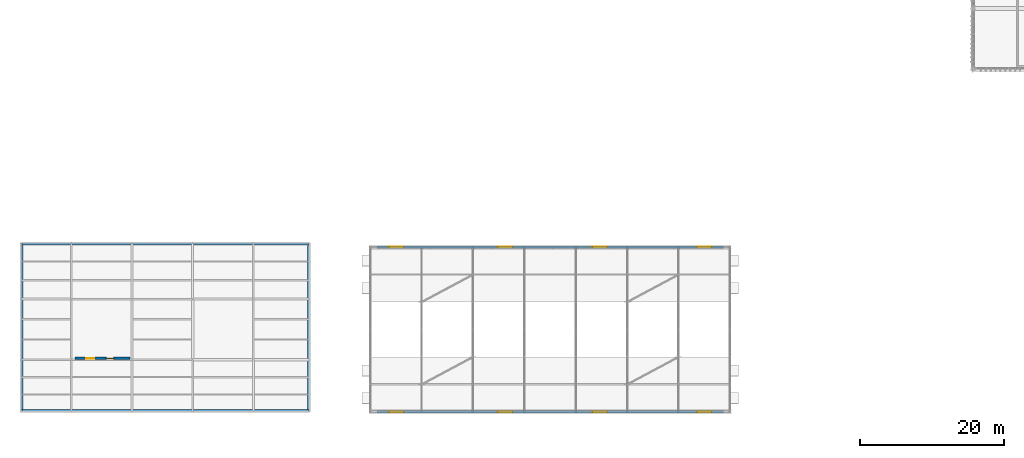
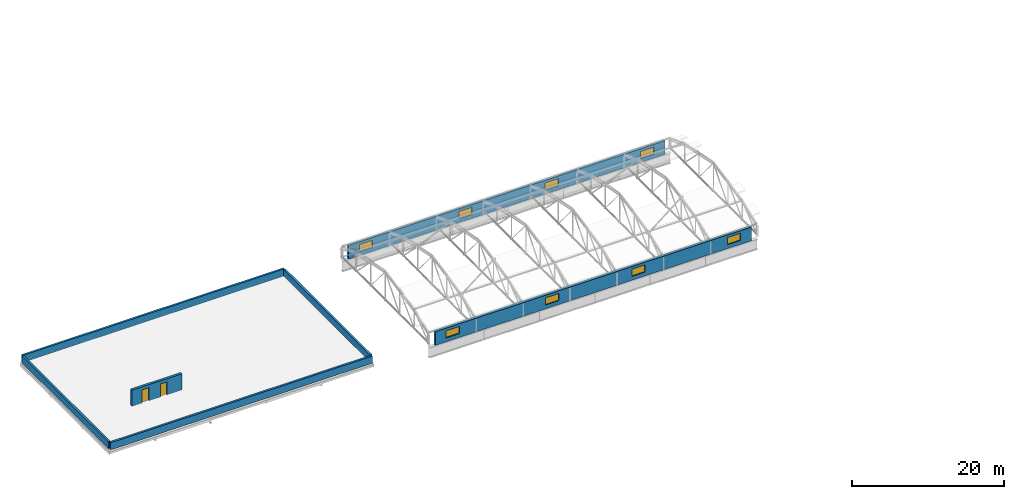
# One storey, part 48 of 53: 8 windows, 7 walls, 2 doors, 10 openings.
"""IFC4 building model written with IfcOpenShell, lengths in metres."""

import ifcopenshell
import ifcopenshell.guid

model = None  # the IFC model being written
_history = None  # IfcOwnerHistory: only IFC2X3 demands one
_inside = {}  # id of a spatial element -> (the spatial element, [elements in it])
_under = {}  # id of a project, library or spatial element -> (it, [spatial elements below it])
_declared = {}  # id of a project -> (the project, [libraries it declares])
_typed = {}  # id of a type object -> (the type object, [elements of that type])
_made_of = {}  # id of a material, layer set ... -> (it, [elements and type objects made of it])


def new_model(schema):
    """Start an empty IFC model of exactly this schema.

    Asked for "IFC4X3", IfcOpenShell would pick the latest addendum, in which some entities
    have other attributes; the version numbers below select the first issue.
    IFC2X3 requires an IfcOwnerHistory on every rooted entity: one is made here for all.
    """
    global model, _history
    if schema == "IFC4X3":
        model = ifcopenshell.file(schema_version=(4, 3, 0, 0))
    else:
        model = ifcopenshell.file(schema=schema)
    _inside.clear()
    _under.clear()
    _declared.clear()
    _typed.clear()
    _made_of.clear()
    _history = None
    if model.schema == "IFC2X3":
        org = make("IfcOrganization", Name="unknown")
        user = make(
            "IfcPersonAndOrganization",
            ThePerson=make("IfcPerson", FamilyName="unknown"),
            TheOrganization=org,
        )
        app = make(
            "IfcApplication",
            ApplicationDeveloper=org,
            Version="unknown",
            ApplicationFullName="unknown",
            ApplicationIdentifier="unknown",
        )
        _history = make(
            "IfcOwnerHistory",
            OwningUser=user,
            OwningApplication=app,
            ChangeAction="ADDED",
            CreationDate=0,
        )
    return model


def make(cls, **values):
    """One entity of the class cls with the attributes given. An attribute that is None is left unset."""
    return model.create_entity(
        cls, **{name: value for name, value in values.items() if value is not None}
    )


def rooted(cls, **values):
    """An entity with a GlobalId (a new one), such as an element, a storey or a relation."""
    return make(cls, GlobalId=ifcopenshell.guid.new(), OwnerHistory=_history, **values)


def si_unit(unit_type, name, prefix=None):
    """IfcSIUnit, for example si_unit("LENGTHUNIT", "METRE", prefix="MILLI")."""
    return make("IfcSIUnit", UnitType=unit_type, Prefix=prefix, Name=name)


def assignment(units):
    """IfcUnitAssignment: the units of a project."""
    return None if units is None else make("IfcUnitAssignment", Units=units)


def point(xyz):
    """IfcCartesianPoint."""
    return None if xyz is None else make("IfcCartesianPoint", Coordinates=xyz)


def direction(xyz):
    """IfcDirection."""
    return None if xyz is None else make("IfcDirection", DirectionRatios=xyz)


def frame(location, z_axis=None, x_axis=None):
    """IfcAxis2Placement3D, a coordinate frame: its origin and axes. An axis left out is left unset."""
    return make(
        "IfcAxis2Placement3D",
        Location=point(location),
        Axis=direction(z_axis),
        RefDirection=direction(x_axis),
    )


def frame_2d(location, x_axis=None):
    """IfcAxis2Placement2D, a coordinate frame in the plane: its origin and x axis."""
    return make(
        "IfcAxis2Placement2D", Location=point(location), RefDirection=direction(x_axis)
    )


def origin_with_axes():
    """The frame at (0, 0, 0) with the z axis (0, 0, 1) and the x axis (1, 0, 0) written out."""
    return frame((0.0, 0.0, 0.0), z_axis=(0.0, 0.0, 1.0), x_axis=(1.0, 0.0, 0.0))


def place(relative_to, where):
    """IfcLocalPlacement: puts the frame where relative to a parent placement (None: the world)."""
    return make(
        "IfcLocalPlacement", PlacementRelTo=relative_to, RelativePlacement=where
    )


def context(
    kind, dimensions, precision=None, world=None, true_north=None, identifier=None
):
    """IfcGeometricRepresentationContext, for example the 3D "Model" context."""
    return make(
        "IfcGeometricRepresentationContext",
        ContextIdentifier=identifier,
        ContextType=kind,
        CoordinateSpaceDimension=dimensions,
        Precision=precision,
        WorldCoordinateSystem=world,
        TrueNorth=true_north,
    )


def subcontext(parent, identifier, kind, view, scale=None):
    """IfcGeometricRepresentationSubContext, for example "Body" below "Model"."""
    return make(
        "IfcGeometricRepresentationSubContext",
        ContextIdentifier=identifier,
        ContextType=kind,
        ParentContext=parent,
        TargetScale=scale,
        TargetView=view,
    )


def project(units=None, contexts=None):
    """IfcProject with its units and contexts."""
    return rooted(
        "IfcProject",
        Name="project",
        RepresentationContexts=contexts,
        UnitsInContext=assignment(units),
    )


def spatial(cls, under=None, at=None, **own):
    """A site, building, storey or space (cls), placed at a placement, below another one or the project."""
    s = rooted(cls, ObjectPlacement=at, **own)
    if under is not None:
        _under.setdefault(under.id(), (under, []))[1].append(s)
    return s


def profile(cls, at=None, kind="AREA", **sizes):
    """A parametric profile (cls). Its sizes go by their IFC names, for example OverallWidth=200.0."""
    return make(cls, ProfileType=kind, Position=at, **sizes)


def rectangle(**sizes):
    """IfcRectangleProfileDef."""
    return profile("IfcRectangleProfileDef", **sizes)


def extrude(swept, where, along, depth):
    """IfcExtrudedAreaSolid: the profile swept, set in the frame where, extruded along a direction by depth."""
    return make(
        "IfcExtrudedAreaSolid",
        SweptArea=swept,
        Position=where,
        ExtrudedDirection=direction(along),
        Depth=depth,
    )


def shape(context_of_items, identifier, shape_type, items):
    """IfcShapeRepresentation: the items that make up one representation, for example the "Body"."""
    return make(
        "IfcShapeRepresentation",
        ContextOfItems=context_of_items,
        RepresentationIdentifier=identifier,
        RepresentationType=shape_type,
        Items=items,
    )


def material(Name=None, Category=None):
    """IfcMaterial."""
    return make("IfcMaterial", Name=Name, Category=Category)


def layer(
    of_material, thickness, ventilated=None, Name=None, Category=None, Priority=None
):
    """IfcMaterialLayer: one layer of a wall or slab, of a material (None: an air gap)."""
    return make(
        "IfcMaterialLayer",
        Material=of_material,
        LayerThickness=thickness,
        IsVentilated=ventilated,
        Name=Name,
        Category=Category,
        Priority=Priority,
    )


def layer_set(layers, Name=None):
    """IfcMaterialLayerSet."""
    return make("IfcMaterialLayerSet", MaterialLayers=layers, LayerSetName=Name)


def made_of(thing, what):
    """Note that an element or type object is made of a material, layer set ...; save() writes the relation."""
    if what is not None:
        _made_of.setdefault(what.id(), (what, []))[1].append(thing)
    return thing


def type_object(cls, material=None, **own):
    """A type object (cls), such as IfcWallType, which elements share."""
    return made_of(rooted(cls, **own), material)


def element(
    cls,
    number,
    at=None,
    inside=None,
    cuts=None,
    type_object=None,
    material=None,
    context=None,
    identifier="Body",
    shape_type=None,
    held_by="IfcProductDefinitionShape",
    body=None,
    shapes=None,
    **own,
):
    """One element of the class cls, such as IfcWall. Its Tag is "e" and its number.

    at: its placement. inside: the storey or other place that contains it. cuts: it is an
    opening in that element (IfcRelVoidsElement). A single representation is given by context,
    identifier, shape_type and body (its items); several are given by shapes. held_by: the class
    of the entity that holds the representations. save() writes the other relations.
    """
    e = rooted(cls, Tag="e%d" % number, ObjectPlacement=at, **own)
    if body is not None:
        shapes = [shape(context, identifier, shape_type, body)]
    if shapes is not None:
        e.Representation = make(held_by, Representations=shapes)
    if inside is not None:
        _inside.setdefault(inside.id(), (inside, []))[1].append(e)
    if cuts is not None:
        rooted(
            "IfcRelVoidsElement", RelatingBuildingElement=cuts, RelatedOpeningElement=e
        )
    if type_object is not None:
        _typed.setdefault(type_object.id(), (type_object, []))[1].append(e)
    return made_of(e, material)


def fill(opening, filler):
    """IfcRelFillsElement: the door or window that sits in an opening."""
    return rooted(
        "IfcRelFillsElement",
        RelatingOpeningElement=opening,
        RelatedBuildingElement=filler,
    )


def aggregate(whole, parts):
    """IfcRelAggregates: a whole, such as a stair, and the parts it consists of."""
    return rooted("IfcRelAggregates", RelatingObject=whole, RelatedObjects=parts)


def save(model, path):
    """Write the relations noted so far, then the file.

    IfcRelAggregates (storeys below a building ...), IfcRelContainedInSpatialStructure (elements
    in a storey), IfcRelDefinesByType, IfcRelAssociatesMaterial and IfcRelDeclares: one each for
    every whole, place, type object, material and project.
    """
    for whole, parts in _under.values():
        aggregate(whole, parts)
    for where, things in _inside.values():
        rooted(
            "IfcRelContainedInSpatialStructure",
            RelatedElements=things,
            RelatingStructure=where,
        )
    for kind, things in _typed.values():
        rooted("IfcRelDefinesByType", RelatedObjects=things, RelatingType=kind)
    for what, things in _made_of.values():
        rooted("IfcRelAssociatesMaterial", RelatedObjects=things, RelatingMaterial=what)
    for by, libraries in _declared.values():
        rooted("IfcRelDeclares", RelatingContext=by, RelatedDefinitions=libraries)
    model.write(path)


model = new_model("IFC4")

# Units and contexts
model_context = context("Model", 3, precision=1e-05, world=origin_with_axes(), true_north=direction((0.0, 1.0)))
body_context = subcontext(model_context, "Body", "Model", "MODEL_VIEW")
ifc_project = project(units=[si_unit("LENGTHUNIT", "METRE"), si_unit("AREAUNIT", "SQUARE_METRE"), si_unit("VOLUMEUNIT", "CUBIC_METRE"), si_unit("PLANEANGLEUNIT", "RADIAN"), si_unit("MASSUNIT", "GRAM", prefix="KILO"), si_unit("THERMODYNAMICTEMPERATUREUNIT", "KELVIN")], contexts=[model_context])

# Site, building, storey
site_placement = place(None, origin_with_axes())
site = spatial("IfcSite", under=ifc_project, at=site_placement, CompositionType="ELEMENT")
building_placement = place(site_placement, origin_with_axes())
building = spatial("IfcBuilding", under=site, at=building_placement, Name="Montbau Bow Law Courts", CompositionType="ELEMENT")
storey_placement = place(building_placement, frame((0.0, 0.0, 39.0), z_axis=(0.0, 0.0, 1.0), x_axis=(1.0, 0.0, 0.0)))
storey = spatial("IfcBuildingStorey", under=building, at=storey_placement, Name="L08", CompositionType="ELEMENT", Elevation=39.0)

# Wall, openings, doors
ifc_material_1 = material(Name="Insulated Metal Cladding Roof Bulkhead Wall", Category="steel")
ifc_layer_1 = layer(ifc_material_1, 0.36, Name="Solid Wall", Category="steel")
ifc_layer_set_1 = layer_set([ifc_layer_1], Name="Insulated Metal Cladding Roof Bulkhead Wall")
wall_type_1 = type_object("IfcWallType", Name="W-EXT-05", PredefinedType="SOLIDWALL", material=ifc_layer_set_1)
wall_1_placement = place(None, frame((14.34, 46.4, 39.0), z_axis=(0.0, 0.0, 1.0), x_axis=(1.0, 0.0, 0.0)))
wall_1 = element("IfcWall", 1, at=wall_1_placement, inside=storey, type_object=wall_type_1, Name="WB-L08-V2:wal_0067", PredefinedType="SOLIDWALL", context=body_context, shape_type="SweptSolid", body=[
    extrude(rectangle(XDim=7.620000000000001, YDim=0.36, at=frame_2d((3.81, 0.0), x_axis=(1.0, 0.0))), origin_with_axes(), (0.0, 0.0, 1.0), 2.6),
])
opening_1_placement = place(None, frame((16.4, 46.4, 39.0), z_axis=(0.0, 0.0, 1.0), x_axis=(1.0, 0.0, 0.0)))
opening_1 = element("IfcOpeningElement", 2, at=opening_1_placement, cuts=wall_1, Name="OP-DH-L08-04", PredefinedType="OPENING", context=body_context, shape_type="SweptSolid", body=[
    extrude(rectangle(XDim=1.12, YDim=2.12, at=frame_2d((0.0, 1.06), x_axis=(1.0, 0.0))), frame((0.0, 0.19, 0.0), z_axis=(0.0, -1.0, 0.0), x_axis=(1.0, 0.0, 0.0)), (0.0, 0.0, 1.0), 0.38),
])
opening_2_placement = place(None, frame((19.15, 46.4, 39.0), z_axis=(0.0, 0.0, 1.0), x_axis=(1.0, 0.0, 0.0)))
opening_2 = element("IfcOpeningElement", 3, at=opening_2_placement, cuts=wall_1, Name="OP-DH-L08-05", PredefinedType="OPENING", context=body_context, shape_type="SweptSolid", body=[
    extrude(rectangle(XDim=1.02, YDim=2.08, at=frame_2d((0.0, 1.04), x_axis=(1.0, 0.0))), frame((0.0, 0.19, 0.0), z_axis=(0.0, -1.0, 0.0), x_axis=(1.0, 0.0, 0.0)), (0.0, 0.0, 1.0), 0.38),
])
ifc_material_2 = material(Name="Insulated Weather-Stripped Steel Roof Bulkhead Access Door", Category="steel")
door_type_1 = type_object("IfcDoorType", Name="D-HTC-01", OperationType="NOTDEFINED", ParameterTakesPrecedence=False, PredefinedType="TRAPDOOR", material=ifc_material_2)
door_1_placement = place(None, frame((19.15, 46.4, 39.0), z_axis=(0.0, 0.0, 1.0), x_axis=(1.0, 0.0, 0.0)))
door_1 = element("IfcDoor", 4, at=door_1_placement, inside=storey, type_object=door_type_1, Name="DH-L08-05:dor_0036", OperationType="SINGLE_SWING_LEFT", OverallHeight=2.08, OverallWidth=1.02, PredefinedType="TRAPDOOR", context=body_context, shape_type="SweptSolid", body=[
    extrude(rectangle(XDim=1.02, YDim=2.08, at=frame_2d((0.0, 1.04), x_axis=(1.0, 0.0))), frame((0.0, 0.04, 0.0), z_axis=(0.0, -1.0, 0.0), x_axis=(1.0, 0.0, 0.0)), (0.0, 0.0, 1.0), 0.08),
])
fill(opening_2, door_1)
ifc_material_3 = material(Name="Insulated Plant-Deck Access Door", Category="steel")
door_type_2 = type_object("IfcDoorType", Name="D-HTC-02", OperationType="NOTDEFINED", ParameterTakesPrecedence=False, PredefinedType="TRAPDOOR", material=ifc_material_3)
door_2_placement = place(None, frame((16.4, 46.4, 39.0), z_axis=(0.0, 0.0, 1.0), x_axis=(1.0, 0.0, 0.0)))
door_2 = element("IfcDoor", 5, at=door_2_placement, inside=storey, type_object=door_type_2, Name="DH-L08-04:dor_0035", OperationType="SINGLE_SWING_LEFT", OverallHeight=2.12, OverallWidth=1.12, PredefinedType="TRAPDOOR", context=body_context, shape_type="SweptSolid", body=[
    extrude(rectangle(XDim=1.12, YDim=2.12, at=frame_2d((0.0, 1.06), x_axis=(1.0, 0.0))), frame((0.0, 0.04, 0.0), z_axis=(0.0, -1.0, 0.0), x_axis=(1.0, 0.0, 0.0)), (0.0, 0.0, 1.0), 0.08),
])
fill(opening_1, door_2)

# Wall, openings, windows
ifc_material_4 = material(Name="Insulated Clerestory Curb Wall Assembly", Category="masonry")
ifc_layer_2 = layer(ifc_material_4, 0.34, Name="Solid Wall", Category="masonry")
ifc_layer_set_2 = layer_set([ifc_layer_2], Name="Insulated Clerestory Curb Wall Assembly")
wall_type_2 = type_object("IfcWallType", Name="W-EXT-06", PredefinedType="SOLIDWALL", material=ifc_layer_set_2)
wall_2_placement = place(None, frame((56.1, 39.0, 38.66), z_axis=(0.0, 0.0, 1.0), x_axis=(1.0, 0.0, 0.0)))
wall_2 = element("IfcWall", 6, at=wall_2_placement, inside=storey, type_object=wall_type_2, Name="WC-VLT-V3-S:wal_0061", PredefinedType="SOLIDWALL", context=body_context, shape_type="SweptSolid", body=[
    extrude(rectangle(XDim=47.99999999999999, YDim=0.34, at=frame_2d((24.0, 0.0), x_axis=(1.0, 0.0))), origin_with_axes(), (0.0, 0.0, 1.0), 2.19),
])
opening_3_placement = place(None, frame((58.757, 39.0, 39.28), z_axis=(0.0, 0.0, 1.0), x_axis=(1.0, 0.0, 0.0)))
opening_3 = element("IfcOpeningElement", 7, at=opening_3_placement, cuts=wall_2, Name="OP-SK-V3-09", PredefinedType="OPENING", context=body_context, shape_type="SweptSolid", body=[
    extrude(rectangle(XDim=2.0, YDim=1.15, at=frame_2d((0.0, 0.575), x_axis=(1.0, 0.0))), frame((0.0, 0.18, 0.0), z_axis=(0.0, -1.0, 0.0), x_axis=(1.0, 0.0, 0.0)), (0.0, 0.0, 1.0), 0.36),
])
opening_4_placement = place(None, frame((73.85, 39.0, 39.28), z_axis=(0.0, 0.0, 1.0), x_axis=(1.0, 0.0, 0.0)))
opening_4 = element("IfcOpeningElement", 8, at=opening_4_placement, cuts=wall_2, Name="OP-SK-V3-10", PredefinedType="OPENING", context=body_context, shape_type="SweptSolid", body=[
    extrude(rectangle(XDim=2.0, YDim=1.15, at=frame_2d((0.0, 0.575), x_axis=(1.0, 0.0))), frame((0.0, 0.18, 0.0), z_axis=(0.0, -1.0, 0.0), x_axis=(1.0, 0.0, 0.0)), (0.0, 0.0, 1.0), 0.36),
])
opening_5_placement = place(None, frame((86.95, 39.0, 39.28), z_axis=(0.0, 0.0, 1.0), x_axis=(1.0, 0.0, 0.0)))
opening_5 = element("IfcOpeningElement", 9, at=opening_5_placement, cuts=wall_2, Name="OP-SK-V3-11", PredefinedType="OPENING", context=body_context, shape_type="SweptSolid", body=[
    extrude(rectangle(XDim=2.0, YDim=1.15, at=frame_2d((0.0, 0.575), x_axis=(1.0, 0.0))), frame((0.0, 0.18, 0.0), z_axis=(0.0, -1.0, 0.0), x_axis=(1.0, 0.0, 0.0)), (0.0, 0.0, 1.0), 0.36),
])
opening_6_placement = place(None, frame((101.443, 39.0, 39.28), z_axis=(0.0, 0.0, 1.0), x_axis=(1.0, 0.0, 0.0)))
opening_6 = element("IfcOpeningElement", 10, at=opening_6_placement, cuts=wall_2, Name="OP-SK-V3-12", PredefinedType="OPENING", context=body_context, shape_type="SweptSolid", body=[
    extrude(rectangle(XDim=2.0, YDim=1.15, at=frame_2d((0.0, 0.575), x_axis=(1.0, 0.0))), frame((0.0, 0.18, 0.0), z_axis=(0.0, -1.0, 0.0), x_axis=(1.0, 0.0, 0.0)), (0.0, 0.0, 1.0), 0.36),
])
ifc_material_5 = material(Name="Triple-Glazed Law Library Monitor Skylight", Category="glass")
window_type = type_object("IfcWindowType", Name="SK-VLT-03", ParameterTakesPrecedence=False, PartitioningType="SINGLE_PANEL", PredefinedType="SKYLIGHT", material=ifc_material_5)
window_1_placement = place(None, frame((58.757, 39.0, 39.28), z_axis=(0.0, 0.0, 1.0), x_axis=(1.0, 0.0, 0.0)))
window_1 = element("IfcWindow", 11, at=window_1_placement, inside=storey, type_object=window_type, Name="SK-V3-09:win_0115", OverallHeight=1.15, OverallWidth=2.0, PartitioningType="SINGLE_PANEL", PredefinedType="SKYLIGHT", context=body_context, shape_type="SweptSolid", body=[
    extrude(rectangle(XDim=2.0, YDim=1.15, at=frame_2d((0.0, 0.575), x_axis=(1.0, 0.0))), frame((0.0, 0.03, 0.0), z_axis=(0.0, -1.0, 0.0), x_axis=(1.0, 0.0, 0.0)), (0.0, 0.0, 1.0), 0.06),
])
fill(opening_3, window_1)
window_2_placement = place(None, frame((73.85, 39.0, 39.28), z_axis=(0.0, 0.0, 1.0), x_axis=(1.0, 0.0, 0.0)))
window_2 = element("IfcWindow", 12, at=window_2_placement, inside=storey, type_object=window_type, Name="SK-V3-10:win_0116", OverallHeight=1.15, OverallWidth=2.0, PartitioningType="SINGLE_PANEL", PredefinedType="SKYLIGHT", context=body_context, shape_type="SweptSolid", body=[
    extrude(rectangle(XDim=2.0, YDim=1.15, at=frame_2d((0.0, 0.575), x_axis=(1.0, 0.0))), frame((0.0, 0.03, 0.0), z_axis=(0.0, -1.0, 0.0), x_axis=(1.0, 0.0, 0.0)), (0.0, 0.0, 1.0), 0.06),
])
fill(opening_4, window_2)
window_3_placement = place(None, frame((86.95, 39.0, 39.28), z_axis=(0.0, 0.0, 1.0), x_axis=(1.0, 0.0, 0.0)))
window_3 = element("IfcWindow", 13, at=window_3_placement, inside=storey, type_object=window_type, Name="SK-V3-11:win_0117", OverallHeight=1.15, OverallWidth=2.0, PartitioningType="SINGLE_PANEL", PredefinedType="SKYLIGHT", context=body_context, shape_type="SweptSolid", body=[
    extrude(rectangle(XDim=2.0, YDim=1.15, at=frame_2d((0.0, 0.575), x_axis=(1.0, 0.0))), frame((0.0, 0.03, 0.0), z_axis=(0.0, -1.0, 0.0), x_axis=(1.0, 0.0, 0.0)), (0.0, 0.0, 1.0), 0.06),
])
fill(opening_5, window_3)
window_4_placement = place(None, frame((101.443, 39.0, 39.28), z_axis=(0.0, 0.0, 1.0), x_axis=(1.0, 0.0, 0.0)))
window_4 = element("IfcWindow", 14, at=window_4_placement, inside=storey, type_object=window_type, Name="SK-V3-12:win_0118", OverallHeight=1.15, OverallWidth=2.0, PartitioningType="SINGLE_PANEL", PredefinedType="SKYLIGHT", context=body_context, shape_type="SweptSolid", body=[
    extrude(rectangle(XDim=2.0, YDim=1.15, at=frame_2d((0.0, 0.575), x_axis=(1.0, 0.0))), frame((0.0, 0.03, 0.0), z_axis=(0.0, -1.0, 0.0), x_axis=(1.0, 0.0, 0.0)), (0.0, 0.0, 1.0), 0.06),
])
fill(opening_6, window_4)

wall_3_placement = place(None, frame((56.1, 61.8, 38.66), z_axis=(0.0, 0.0, 1.0), x_axis=(1.0, 0.0, 0.0)))
wall_3 = element("IfcWall", 15, at=wall_3_placement, inside=storey, type_object=wall_type_2, Name="WC-VLT-V3-N:wal_0062", PredefinedType="SOLIDWALL", context=body_context, shape_type="SweptSolid", body=[
    extrude(rectangle(XDim=47.99999999999999, YDim=0.34, at=frame_2d((24.0, 0.0), x_axis=(1.0, 0.0))), origin_with_axes(), (0.0, 0.0, 1.0), 2.19),
])
opening_7_placement = place(None, frame((58.757, 61.8, 39.28), z_axis=(0.0, 0.0, 1.0), x_axis=(1.0, 0.0, 0.0)))
opening_7 = element("IfcOpeningElement", 16, at=opening_7_placement, cuts=wall_3, Name="OP-SK-V3-13", PredefinedType="OPENING", context=body_context, shape_type="SweptSolid", body=[
    extrude(rectangle(XDim=2.0, YDim=1.15, at=frame_2d((0.0, 0.575), x_axis=(1.0, 0.0))), frame((0.0, 0.18, 0.0), z_axis=(0.0, -1.0, 0.0), x_axis=(1.0, 0.0, 0.0)), (0.0, 0.0, 1.0), 0.36),
])
opening_8_placement = place(None, frame((73.85, 61.8, 39.28), z_axis=(0.0, 0.0, 1.0), x_axis=(1.0, 0.0, 0.0)))
opening_8 = element("IfcOpeningElement", 17, at=opening_8_placement, cuts=wall_3, Name="OP-SK-V3-14", PredefinedType="OPENING", context=body_context, shape_type="SweptSolid", body=[
    extrude(rectangle(XDim=2.0, YDim=1.15, at=frame_2d((0.0, 0.575), x_axis=(1.0, 0.0))), frame((0.0, 0.18, 0.0), z_axis=(0.0, -1.0, 0.0), x_axis=(1.0, 0.0, 0.0)), (0.0, 0.0, 1.0), 0.36),
])
opening_9_placement = place(None, frame((86.95, 61.8, 39.28), z_axis=(0.0, 0.0, 1.0), x_axis=(1.0, 0.0, 0.0)))
opening_9 = element("IfcOpeningElement", 18, at=opening_9_placement, cuts=wall_3, Name="OP-SK-V3-15", PredefinedType="OPENING", context=body_context, shape_type="SweptSolid", body=[
    extrude(rectangle(XDim=2.0, YDim=1.15, at=frame_2d((0.0, 0.575), x_axis=(1.0, 0.0))), frame((0.0, 0.18, 0.0), z_axis=(0.0, -1.0, 0.0), x_axis=(1.0, 0.0, 0.0)), (0.0, 0.0, 1.0), 0.36),
])
opening_10_placement = place(None, frame((101.443, 61.8, 39.28), z_axis=(0.0, 0.0, 1.0), x_axis=(1.0, 0.0, 0.0)))
opening_10 = element("IfcOpeningElement", 19, at=opening_10_placement, cuts=wall_3, Name="OP-SK-V3-16", PredefinedType="OPENING", context=body_context, shape_type="SweptSolid", body=[
    extrude(rectangle(XDim=2.0, YDim=1.15, at=frame_2d((0.0, 0.575), x_axis=(1.0, 0.0))), frame((0.0, 0.18, 0.0), z_axis=(0.0, -1.0, 0.0), x_axis=(1.0, 0.0, 0.0)), (0.0, 0.0, 1.0), 0.36),
])
window_5_placement = place(None, frame((58.757, 61.8, 39.28), z_axis=(0.0, 0.0, 1.0), x_axis=(1.0, 0.0, 0.0)))
window_5 = element("IfcWindow", 20, at=window_5_placement, inside=storey, type_object=window_type, Name="SK-V3-13:win_0119", OverallHeight=1.15, OverallWidth=2.0, PartitioningType="SINGLE_PANEL", PredefinedType="SKYLIGHT", context=body_context, shape_type="SweptSolid", body=[
    extrude(rectangle(XDim=2.0, YDim=1.15, at=frame_2d((0.0, 0.575), x_axis=(1.0, 0.0))), frame((0.0, 0.03, 0.0), z_axis=(0.0, -1.0, 0.0), x_axis=(1.0, 0.0, 0.0)), (0.0, 0.0, 1.0), 0.06),
])
fill(opening_7, window_5)
window_6_placement = place(None, frame((73.85, 61.8, 39.28), z_axis=(0.0, 0.0, 1.0), x_axis=(1.0, 0.0, 0.0)))
window_6 = element("IfcWindow", 21, at=window_6_placement, inside=storey, type_object=window_type, Name="SK-V3-14:win_0120", OverallHeight=1.15, OverallWidth=2.0, PartitioningType="SINGLE_PANEL", PredefinedType="SKYLIGHT", context=body_context, shape_type="SweptSolid", body=[
    extrude(rectangle(XDim=2.0, YDim=1.15, at=frame_2d((0.0, 0.575), x_axis=(1.0, 0.0))), frame((0.0, 0.03, 0.0), z_axis=(0.0, -1.0, 0.0), x_axis=(1.0, 0.0, 0.0)), (0.0, 0.0, 1.0), 0.06),
])
fill(opening_8, window_6)
window_7_placement = place(None, frame((86.95, 61.8, 39.28), z_axis=(0.0, 0.0, 1.0), x_axis=(1.0, 0.0, 0.0)))
window_7 = element("IfcWindow", 22, at=window_7_placement, inside=storey, type_object=window_type, Name="SK-V3-15:win_0121", OverallHeight=1.15, OverallWidth=2.0, PartitioningType="SINGLE_PANEL", PredefinedType="SKYLIGHT", context=body_context, shape_type="SweptSolid", body=[
    extrude(rectangle(XDim=2.0, YDim=1.15, at=frame_2d((0.0, 0.575), x_axis=(1.0, 0.0))), frame((0.0, 0.03, 0.0), z_axis=(0.0, -1.0, 0.0), x_axis=(1.0, 0.0, 0.0)), (0.0, 0.0, 1.0), 0.06),
])
fill(opening_9, window_7)
window_8_placement = place(None, frame((101.443, 61.8, 39.28), z_axis=(0.0, 0.0, 1.0), x_axis=(1.0, 0.0, 0.0)))
window_8 = element("IfcWindow", 23, at=window_8_placement, inside=storey, type_object=window_type, Name="SK-V3-16:win_0122", OverallHeight=1.15, OverallWidth=2.0, PartitioningType="SINGLE_PANEL", PredefinedType="SKYLIGHT", context=body_context, shape_type="SweptSolid", body=[
    extrude(rectangle(XDim=2.0, YDim=1.15, at=frame_2d((0.0, 0.575), x_axis=(1.0, 0.0))), frame((0.0, 0.03, 0.0), z_axis=(0.0, -1.0, 0.0), x_axis=(1.0, 0.0, 0.0)), (0.0, 0.0, 1.0), 0.06),
])
fill(opening_10, window_8)

# Walls
ifc_material_6 = material(Name="Insulated Limestone-Capped Roof Parapet Assembly", Category="masonry")
ifc_layer_3 = layer(ifc_material_6, 0.3, Name="Parapet", Category="masonry")
ifc_layer_set_3 = layer_set([ifc_layer_3], Name="Insulated Limestone-Capped Roof Parapet Assembly")
wall_type_3 = type_object("IfcWallType", Name="W-PAR-01", PredefinedType="PARAPET", material=ifc_layer_set_3)
wall_4_placement = place(None, frame((6.95, 39.15, 39.0), z_axis=(0.0, 0.0, 1.0), x_axis=(1.0, 0.0, 0.0)))
element("IfcWall", 24, at=wall_4_placement, inside=storey, type_object=wall_type_3, Name="PAR-L08-01:par_0010", PredefinedType="PARAPET", context=body_context, shape_type="SweptSolid", body=[
    extrude(rectangle(XDim=39.699999999999996, YDim=0.3, at=frame_2d((19.85, 0.0), x_axis=(1.0, 0.0))), origin_with_axes(), (0.0, 0.0, 1.0), 1.15),
])
wall_5_placement = place(None, frame((46.65, 39.35, 39.0), z_axis=(0.0, 0.0, 1.0), x_axis=(0.0, 1.0, 0.0)))
element("IfcWall", 25, at=wall_5_placement, inside=storey, type_object=wall_type_3, Name="PAR-L08-02:par_0011", PredefinedType="PARAPET", context=body_context, shape_type="SweptSolid", body=[
    extrude(rectangle(XDim=22.699999999999996, YDim=0.3, at=frame_2d((11.35, 0.0), x_axis=(1.0, 0.0))), origin_with_axes(), (0.0, 0.0, 1.0), 1.15),
])
wall_6_placement = place(None, frame((46.65, 62.25, 39.0), z_axis=(0.0, 0.0, 1.0), x_axis=(-1.0, 0.0, 0.0)))
element("IfcWall", 26, at=wall_6_placement, inside=storey, type_object=wall_type_3, Name="PAR-L08-03:par_0012", PredefinedType="PARAPET", context=body_context, shape_type="SweptSolid", body=[
    extrude(rectangle(XDim=39.699999999999996, YDim=0.3, at=frame_2d((19.85, 0.0), x_axis=(1.0, 0.0))), origin_with_axes(), (0.0, 0.0, 1.0), 1.15),
])
wall_7_placement = place(None, frame((6.95, 62.05, 39.0), z_axis=(0.0, 0.0, 1.0), x_axis=(0.0, -1.0, 0.0)))
element("IfcWall", 27, at=wall_7_placement, inside=storey, type_object=wall_type_3, Name="PAR-L08-04:par_0013", PredefinedType="PARAPET", context=body_context, shape_type="SweptSolid", body=[
    extrude(rectangle(XDim=22.699999999999996, YDim=0.3, at=frame_2d((11.35, 0.0), x_axis=(1.0, 0.0))), origin_with_axes(), (0.0, 0.0, 1.0), 1.15),
])

save(model, "model.ifc")
